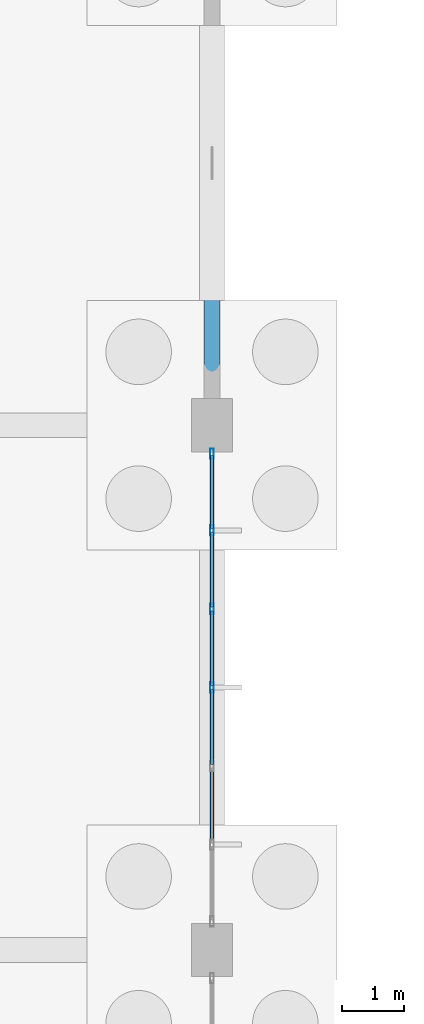
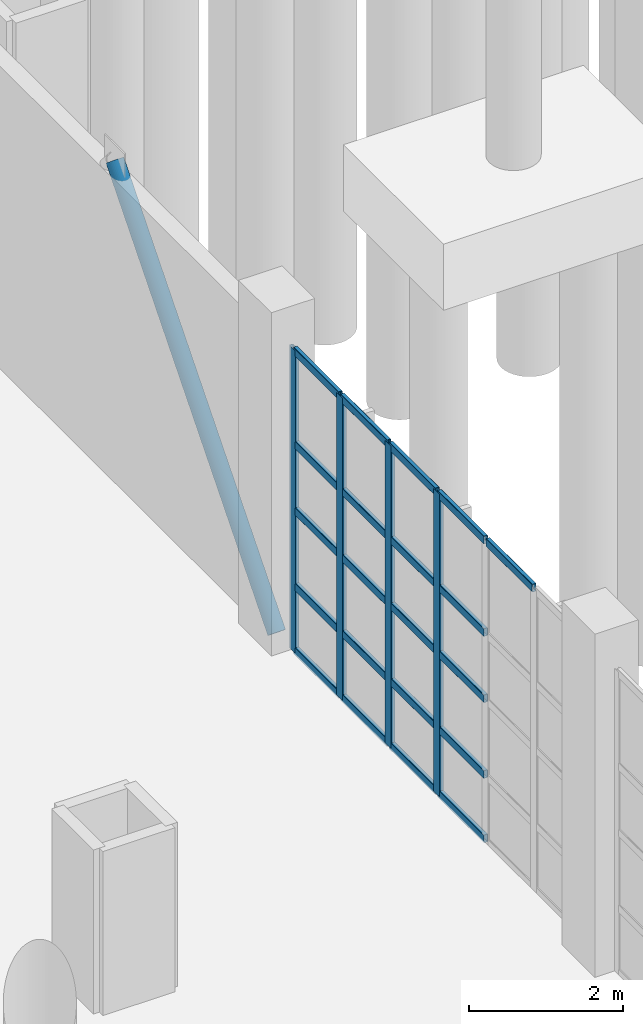
# One storey, part 29 of 83: 26 members, 1 element without a shape of its own.
"""IFC4 building model written with IfcOpenShell, lengths in metres."""

from ifc_helpers import new_model, si_unit, direction, frame, origin, origin_2d, place, context, subcontext, project, spatial, hollow_rectangle, hollow_circle, extrude, material, layer, layer_set, material_profile, profile_set, type_object, element, aggregate, save


model = new_model("IFC4")

# Units and contexts
model_context = context("Model", 3, precision=1e-05, world=origin(), true_north=direction((0.0, 1.0)))
body_context = subcontext(model_context, "Body", "Model", "MODEL_VIEW")
ifc_project = project(units=[si_unit("LENGTHUNIT", "METRE"), si_unit("AREAUNIT", "SQUARE_METRE"), si_unit("VOLUMEUNIT", "CUBIC_METRE"), si_unit("PLANEANGLEUNIT", "RADIAN"), si_unit("MASSUNIT", "GRAM", prefix="KILO"), si_unit("THERMODYNAMICTEMPERATUREUNIT", "KELVIN"), si_unit("POWERUNIT", "WATT")], contexts=[model_context])

# Site, building, storey
site_placement = place(None, origin())
site = spatial("IfcSite", under=ifc_project, at=site_placement, CompositionType="ELEMENT")
building_placement = place(site_placement, origin())
building = spatial("IfcBuilding", under=site, at=building_placement, Name="Mavoryth Pier Ferry Terminal", CompositionType="ELEMENT")
storey_placement = place(building_placement, origin())
storey = spatial("IfcBuildingStorey", under=building, at=storey_placement, Name="L00", CompositionType="ELEMENT", Elevation=0.0)

# Member
ifc_material_1 = material(Name="Steel S355J2", Category="steel")
ifc_material_profile_1 = material_profile(ifc_material_1, hollow_circle(Radius=0.122314453125, WallThickness=0.012451171875, at=origin_2d()), Name="CHS 244.5x12.5", Category="steel")
ifc_profile_set_1 = profile_set([ifc_material_profile_1], Name="Steel S355J2 - CHS 244.5x12.5")
member_type_1 = type_object("IfcMemberType", Name="Brace-Diag-CHS245", PredefinedType="BRACE", material=ifc_profile_set_1)
member_1_placement = place(storey_placement, frame((33.60009765625, 80.800048828125, 0.0), z_axis=(0.0, 0.64773803869, 0.761863132875), x_axis=(-1.0, 0.0, 0.0)))
element("IfcMember", 1, at=member_1_placement, inside=storey, type_object=member_type_1, Name="Steel Member MB-L00-0304", PredefinedType="BRACE", context=body_context, shape_type="SweptSolid", body=[
    extrude(hollow_circle(Radius=0.122314453125, WallThickness=0.012451171875, at=origin_2d()), origin(), (0.0, 0.0, 1.0), 6.484130859375),
])

# Curtain wall, members
ifc_material_2 = material(Name="Anodised Aluminium and Solar-Control Low-E Glass", Category="aluminium")
ifc_layer = layer(ifc_material_2, 0.199951171875, Name="Anodised Aluminium and Solar-Control Low-E Glass", Category="aluminium")
ifc_layer_set = layer_set([ifc_layer], Name="Anodised Aluminium and Solar-Control Low-E Glass - CW-Concourse-Mod1200")
curtain_wall_type = type_object("IfcCurtainWallType", Name="CW-Concourse-Mod1200", PredefinedType="USERDEFINED", material=ifc_layer_set)
curtain_wall_placement = place(storey_placement, origin())
curtain_wall = element("IfcCurtainWall", 2, at=curtain_wall_placement, inside=storey, type_object=curtain_wall_type, Name="Curtain Wall CW-0022-018", ObjectType="UNITISED CURTAIN WALL", PredefinedType="USERDEFINED")
ifc_material_3 = material(Name="Anodised Aluminium EN AW-6063", Category="aluminium")
ifc_material_profile_2 = material_profile(ifc_material_3, hollow_rectangle(XDim=0.06005859375, YDim=0.1650390625, WallThickness=0.00390625, InnerFilletRadius=0.00390625, OuterFilletRadius=0.008056640625, at=origin_2d()), Name="AL-MULL 165x60x4", Category="aluminium")
ifc_profile_set_2 = profile_set([ifc_material_profile_2], Name="Anodised Aluminium EN AW-6063 - AL-MULL 165x60x4")
member_type_2 = type_object("IfcMemberType", Name="Mullion-Alum-165x60", PredefinedType="MULLION", material=ifc_profile_set_2)
member_2_placement = place(storey_placement, frame((33.60009765625, 76.60009765625, 0.0), z_axis=(0.0, 0.0, 1.0), x_axis=(-1.0, 0.0, 0.0)))
member_2 = element("IfcMember", 3, at=member_2_placement, type_object=member_type_2, Name="CW02 mullion 4", PredefinedType="MULLION", context=body_context, shape_type="SweptSolid", body=[
    extrude(hollow_rectangle(XDim=0.06005859375, YDim=0.1650390625, WallThickness=0.00390625, InnerFilletRadius=0.00390625, OuterFilletRadius=0.008056640625, at=origin_2d()), origin(), (0.0, 0.0, 1.0), 4.794921875),
])
member_3_placement = place(storey_placement, frame((33.60009765625, 77.8583984375, 0.0), z_axis=(0.0, 0.0, 1.0), x_axis=(-1.0, 0.0, 0.0)))
member_3 = element("IfcMember", 4, at=member_3_placement, type_object=member_type_2, Name="CW02 mullion 5", PredefinedType="MULLION", context=body_context, shape_type="SweptSolid", body=[
    extrude(hollow_rectangle(XDim=0.06005859375, YDim=0.1650390625, WallThickness=0.00390625, InnerFilletRadius=0.00390625, OuterFilletRadius=0.008056640625, at=origin_2d()), origin(), (0.0, 0.0, 1.0), 4.794921875),
])
member_4_placement = place(storey_placement, frame((33.60009765625, 79.11669921875, 0.0), z_axis=(0.0, 0.0, 1.0), x_axis=(-1.0, 0.0, 0.0)))
member_4 = element("IfcMember", 5, at=member_4_placement, type_object=member_type_2, Name="CW02 mullion 6", PredefinedType="MULLION", context=body_context, shape_type="SweptSolid", body=[
    extrude(hollow_rectangle(XDim=0.06005859375, YDim=0.1650390625, WallThickness=0.00390625, InnerFilletRadius=0.00390625, OuterFilletRadius=0.008056640625, at=origin_2d()), origin(), (0.0, 0.0, 1.0), 4.794921875),
])
member_5_placement = place(storey_placement, frame((33.60009765625, 80.344970703125, 0.0), z_axis=(0.0, 0.0, 1.0), x_axis=(-1.0, 0.0, 0.0)))
member_5 = element("IfcMember", 6, at=member_5_placement, type_object=member_type_2, Name="CW02 mullion 7", PredefinedType="MULLION", context=body_context, shape_type="SweptSolid", body=[
    extrude(hollow_rectangle(XDim=0.06005859375, YDim=0.1650390625, WallThickness=0.00390625, InnerFilletRadius=0.00390625, OuterFilletRadius=0.008056640625, at=origin_2d()), origin(), (0.0, 0.0, 1.0), 4.794921875),
])
ifc_material_profile_3 = material_profile(ifc_material_3, hollow_rectangle(XDim=0.06005859375, YDim=0.125, WallThickness=0.00390625, InnerFilletRadius=0.00390625, OuterFilletRadius=0.008056640625, at=origin_2d()), Name="AL-TRAN 125x60x4", Category="aluminium")
ifc_profile_set_3 = profile_set([ifc_material_profile_3], Name="Anodised Aluminium EN AW-6063 - AL-TRAN 125x60x4")
member_type_3 = type_object("IfcMemberType", Name="Transom-Alum-125x60", PredefinedType="USERDEFINED", material=ifc_profile_set_3)
member_6_placement = place(storey_placement, frame((33.60009765625, 74.11328125, 4.764892578125), z_axis=(0.0, 1.0, 0.0), x_axis=(-1.0, 0.0, 0.0)))
member_6 = element("IfcMember", 7, at=member_6_placement, type_object=member_type_3, Name="CW02 transom 2.5", ObjectType="TRANSOM", PredefinedType="USERDEFINED", context=body_context, shape_type="SweptSolid", body=[
    extrude(hollow_rectangle(XDim=0.06005859375, YDim=0.125, WallThickness=0.00390625, InnerFilletRadius=0.00390625, OuterFilletRadius=0.008056640625, at=origin_2d()), origin(), (0.0, 0.0, 1.0), 1.198486328125),
])
member_7_placement = place(storey_placement, frame((33.60009765625, 75.37158203125, 0.030029296875), z_axis=(0.0, 1.0, 0.0), x_axis=(-1.0, 0.0, 0.0)))
member_7 = element("IfcMember", 8, at=member_7_placement, type_object=member_type_3, Name="CW02 transom 3.1", ObjectType="TRANSOM", PredefinedType="USERDEFINED", context=body_context, shape_type="SweptSolid", body=[
    extrude(hollow_rectangle(XDim=0.06005859375, YDim=0.125, WallThickness=0.00390625, InnerFilletRadius=0.00390625, OuterFilletRadius=0.008056640625, at=origin_2d()), origin(), (0.0, 0.0, 1.0), 1.198486328125),
])
member_8_placement = place(storey_placement, frame((33.60009765625, 75.37158203125, 1.050048828125), z_axis=(0.0, 1.0, 0.0), x_axis=(-1.0, 0.0, 0.0)))
member_8 = element("IfcMember", 9, at=member_8_placement, type_object=member_type_3, Name="CW02 transom 3.2", ObjectType="TRANSOM", PredefinedType="USERDEFINED", context=body_context, shape_type="SweptSolid", body=[
    extrude(hollow_rectangle(XDim=0.06005859375, YDim=0.125, WallThickness=0.00390625, InnerFilletRadius=0.00390625, OuterFilletRadius=0.008056640625, at=origin_2d()), origin(), (0.0, 0.0, 1.0), 1.198486328125),
])
member_9_placement = place(storey_placement, frame((33.60009765625, 75.37158203125, 2.25), z_axis=(0.0, 1.0, 0.0), x_axis=(-1.0, 0.0, 0.0)))
member_9 = element("IfcMember", 10, at=member_9_placement, type_object=member_type_3, Name="CW02 transom 3.3", ObjectType="TRANSOM", PredefinedType="USERDEFINED", context=body_context, shape_type="SweptSolid", body=[
    extrude(hollow_rectangle(XDim=0.06005859375, YDim=0.125, WallThickness=0.00390625, InnerFilletRadius=0.00390625, OuterFilletRadius=0.008056640625, at=origin_2d()), origin(), (0.0, 0.0, 1.0), 1.198486328125),
])
member_10_placement = place(storey_placement, frame((33.60009765625, 75.37158203125, 3.300048828125), z_axis=(0.0, 1.0, 0.0), x_axis=(-1.0, 0.0, 0.0)))
member_10 = element("IfcMember", 11, at=member_10_placement, type_object=member_type_3, Name="CW02 transom 3.4", ObjectType="TRANSOM", PredefinedType="USERDEFINED", context=body_context, shape_type="SweptSolid", body=[
    extrude(hollow_rectangle(XDim=0.06005859375, YDim=0.125, WallThickness=0.00390625, InnerFilletRadius=0.00390625, OuterFilletRadius=0.008056640625, at=origin_2d()), origin(), (0.0, 0.0, 1.0), 1.198486328125),
])
member_11_placement = place(storey_placement, frame((33.60009765625, 75.37158203125, 4.764892578125), z_axis=(0.0, 1.0, 0.0), x_axis=(-1.0, 0.0, 0.0)))
member_11 = element("IfcMember", 12, at=member_11_placement, type_object=member_type_3, Name="CW02 transom 3.5", ObjectType="TRANSOM", PredefinedType="USERDEFINED", context=body_context, shape_type="SweptSolid", body=[
    extrude(hollow_rectangle(XDim=0.06005859375, YDim=0.125, WallThickness=0.00390625, InnerFilletRadius=0.00390625, OuterFilletRadius=0.008056640625, at=origin_2d()), origin(), (0.0, 0.0, 1.0), 1.198486328125),
])
member_12_placement = place(storey_placement, frame((33.60009765625, 76.6298828125, 0.030029296875), z_axis=(0.0, 1.0, 0.0), x_axis=(-1.0, 0.0, 0.0)))
member_12 = element("IfcMember", 13, at=member_12_placement, type_object=member_type_3, Name="CW02 transom 4.1", ObjectType="TRANSOM", PredefinedType="USERDEFINED", context=body_context, shape_type="SweptSolid", body=[
    extrude(hollow_rectangle(XDim=0.06005859375, YDim=0.125, WallThickness=0.00390625, InnerFilletRadius=0.00390625, OuterFilletRadius=0.008056640625, at=origin_2d()), origin(), (0.0, 0.0, 1.0), 1.198486328125),
])
member_13_placement = place(storey_placement, frame((33.60009765625, 76.6298828125, 1.050048828125), z_axis=(0.0, 1.0, 0.0), x_axis=(-1.0, 0.0, 0.0)))
member_13 = element("IfcMember", 14, at=member_13_placement, type_object=member_type_3, Name="CW02 transom 4.2", ObjectType="TRANSOM", PredefinedType="USERDEFINED", context=body_context, shape_type="SweptSolid", body=[
    extrude(hollow_rectangle(XDim=0.06005859375, YDim=0.125, WallThickness=0.00390625, InnerFilletRadius=0.00390625, OuterFilletRadius=0.008056640625, at=origin_2d()), origin(), (0.0, 0.0, 1.0), 1.198486328125),
])
member_14_placement = place(storey_placement, frame((33.60009765625, 76.6298828125, 2.25), z_axis=(0.0, 1.0, 0.0), x_axis=(-1.0, 0.0, 0.0)))
member_14 = element("IfcMember", 15, at=member_14_placement, type_object=member_type_3, Name="CW02 transom 4.3", ObjectType="TRANSOM", PredefinedType="USERDEFINED", context=body_context, shape_type="SweptSolid", body=[
    extrude(hollow_rectangle(XDim=0.06005859375, YDim=0.125, WallThickness=0.00390625, InnerFilletRadius=0.00390625, OuterFilletRadius=0.008056640625, at=origin_2d()), origin(), (0.0, 0.0, 1.0), 1.198486328125),
])
member_15_placement = place(storey_placement, frame((33.60009765625, 76.6298828125, 3.300048828125), z_axis=(0.0, 1.0, 0.0), x_axis=(-1.0, 0.0, 0.0)))
member_15 = element("IfcMember", 16, at=member_15_placement, type_object=member_type_3, Name="CW02 transom 4.4", ObjectType="TRANSOM", PredefinedType="USERDEFINED", context=body_context, shape_type="SweptSolid", body=[
    extrude(hollow_rectangle(XDim=0.06005859375, YDim=0.125, WallThickness=0.00390625, InnerFilletRadius=0.00390625, OuterFilletRadius=0.008056640625, at=origin_2d()), origin(), (0.0, 0.0, 1.0), 1.198486328125),
])
member_16_placement = place(storey_placement, frame((33.60009765625, 76.6298828125, 4.764892578125), z_axis=(0.0, 1.0, 0.0), x_axis=(-1.0, 0.0, 0.0)))
member_16 = element("IfcMember", 17, at=member_16_placement, type_object=member_type_3, Name="CW02 transom 4.5", ObjectType="TRANSOM", PredefinedType="USERDEFINED", context=body_context, shape_type="SweptSolid", body=[
    extrude(hollow_rectangle(XDim=0.06005859375, YDim=0.125, WallThickness=0.00390625, InnerFilletRadius=0.00390625, OuterFilletRadius=0.008056640625, at=origin_2d()), origin(), (0.0, 0.0, 1.0), 1.198486328125),
])
member_17_placement = place(storey_placement, frame((33.60009765625, 77.888427734375, 0.030029296875), z_axis=(0.0, 1.0, 0.0), x_axis=(-1.0, 0.0, 0.0)))
member_17 = element("IfcMember", 18, at=member_17_placement, type_object=member_type_3, Name="CW02 transom 5.1", ObjectType="TRANSOM", PredefinedType="USERDEFINED", context=body_context, shape_type="SweptSolid", body=[
    extrude(hollow_rectangle(XDim=0.06005859375, YDim=0.125, WallThickness=0.00390625, InnerFilletRadius=0.00390625, OuterFilletRadius=0.008056640625, at=origin_2d()), origin(), (0.0, 0.0, 1.0), 1.1982421875),
])
member_18_placement = place(storey_placement, frame((33.60009765625, 77.888427734375, 1.050048828125), z_axis=(0.0, 1.0, 0.0), x_axis=(-1.0, 0.0, 0.0)))
member_18 = element("IfcMember", 19, at=member_18_placement, type_object=member_type_3, Name="CW02 transom 5.2", ObjectType="TRANSOM", PredefinedType="USERDEFINED", context=body_context, shape_type="SweptSolid", body=[
    extrude(hollow_rectangle(XDim=0.06005859375, YDim=0.125, WallThickness=0.00390625, InnerFilletRadius=0.00390625, OuterFilletRadius=0.008056640625, at=origin_2d()), origin(), (0.0, 0.0, 1.0), 1.1982421875),
])
member_19_placement = place(storey_placement, frame((33.60009765625, 77.888427734375, 2.25), z_axis=(0.0, 1.0, 0.0), x_axis=(-1.0, 0.0, 0.0)))
member_19 = element("IfcMember", 20, at=member_19_placement, type_object=member_type_3, Name="CW02 transom 5.3", ObjectType="TRANSOM", PredefinedType="USERDEFINED", context=body_context, shape_type="SweptSolid", body=[
    extrude(hollow_rectangle(XDim=0.06005859375, YDim=0.125, WallThickness=0.00390625, InnerFilletRadius=0.00390625, OuterFilletRadius=0.008056640625, at=origin_2d()), origin(), (0.0, 0.0, 1.0), 1.1982421875),
])
member_20_placement = place(storey_placement, frame((33.60009765625, 77.888427734375, 3.300048828125), z_axis=(0.0, 1.0, 0.0), x_axis=(-1.0, 0.0, 0.0)))
member_20 = element("IfcMember", 21, at=member_20_placement, type_object=member_type_3, Name="CW02 transom 5.4", ObjectType="TRANSOM", PredefinedType="USERDEFINED", context=body_context, shape_type="SweptSolid", body=[
    extrude(hollow_rectangle(XDim=0.06005859375, YDim=0.125, WallThickness=0.00390625, InnerFilletRadius=0.00390625, OuterFilletRadius=0.008056640625, at=origin_2d()), origin(), (0.0, 0.0, 1.0), 1.1982421875),
])
member_21_placement = place(storey_placement, frame((33.60009765625, 77.888427734375, 4.764892578125), z_axis=(0.0, 1.0, 0.0), x_axis=(-1.0, 0.0, 0.0)))
member_21 = element("IfcMember", 22, at=member_21_placement, type_object=member_type_3, Name="CW02 transom 5.5", ObjectType="TRANSOM", PredefinedType="USERDEFINED", context=body_context, shape_type="SweptSolid", body=[
    extrude(hollow_rectangle(XDim=0.06005859375, YDim=0.125, WallThickness=0.00390625, InnerFilletRadius=0.00390625, OuterFilletRadius=0.008056640625, at=origin_2d()), origin(), (0.0, 0.0, 1.0), 1.1982421875),
])
member_22_placement = place(storey_placement, frame((33.60009765625, 79.146728515625, 0.030029296875), z_axis=(0.0, 1.0, 0.0), x_axis=(-1.0, 0.0, 0.0)))
member_22 = element("IfcMember", 23, at=member_22_placement, type_object=member_type_3, Name="CW02 transom 6.1", ObjectType="TRANSOM", PredefinedType="USERDEFINED", context=body_context, shape_type="SweptSolid", body=[
    extrude(hollow_rectangle(XDim=0.06005859375, YDim=0.125, WallThickness=0.00390625, InnerFilletRadius=0.00390625, OuterFilletRadius=0.008056640625, at=origin_2d()), origin(), (0.0, 0.0, 1.0), 1.168212890625),
])
member_23_placement = place(storey_placement, frame((33.60009765625, 79.146728515625, 1.050048828125), z_axis=(0.0, 1.0, 0.0), x_axis=(-1.0, 0.0, 0.0)))
member_23 = element("IfcMember", 24, at=member_23_placement, type_object=member_type_3, Name="CW02 transom 6.2", ObjectType="TRANSOM", PredefinedType="USERDEFINED", context=body_context, shape_type="SweptSolid", body=[
    extrude(hollow_rectangle(XDim=0.06005859375, YDim=0.125, WallThickness=0.00390625, InnerFilletRadius=0.00390625, OuterFilletRadius=0.008056640625, at=origin_2d()), origin(), (0.0, 0.0, 1.0), 1.168212890625),
])
member_24_placement = place(storey_placement, frame((33.60009765625, 79.146728515625, 2.25), z_axis=(0.0, 1.0, 0.0), x_axis=(-1.0, 0.0, 0.0)))
member_24 = element("IfcMember", 25, at=member_24_placement, type_object=member_type_3, Name="CW02 transom 6.3", ObjectType="TRANSOM", PredefinedType="USERDEFINED", context=body_context, shape_type="SweptSolid", body=[
    extrude(hollow_rectangle(XDim=0.06005859375, YDim=0.125, WallThickness=0.00390625, InnerFilletRadius=0.00390625, OuterFilletRadius=0.008056640625, at=origin_2d()), origin(), (0.0, 0.0, 1.0), 1.168212890625),
])
member_25_placement = place(storey_placement, frame((33.60009765625, 79.146728515625, 3.300048828125), z_axis=(0.0, 1.0, 0.0), x_axis=(-1.0, 0.0, 0.0)))
member_25 = element("IfcMember", 26, at=member_25_placement, type_object=member_type_3, Name="CW02 transom 6.4", ObjectType="TRANSOM", PredefinedType="USERDEFINED", context=body_context, shape_type="SweptSolid", body=[
    extrude(hollow_rectangle(XDim=0.06005859375, YDim=0.125, WallThickness=0.00390625, InnerFilletRadius=0.00390625, OuterFilletRadius=0.008056640625, at=origin_2d()), origin(), (0.0, 0.0, 1.0), 1.168212890625),
])
member_26_placement = place(storey_placement, frame((33.60009765625, 79.146728515625, 4.764892578125), z_axis=(0.0, 1.0, 0.0), x_axis=(-1.0, 0.0, 0.0)))
member_26 = element("IfcMember", 27, at=member_26_placement, type_object=member_type_3, Name="CW02 transom 6.5", ObjectType="TRANSOM", PredefinedType="USERDEFINED", context=body_context, shape_type="SweptSolid", body=[
    extrude(hollow_rectangle(XDim=0.06005859375, YDim=0.125, WallThickness=0.00390625, InnerFilletRadius=0.00390625, OuterFilletRadius=0.008056640625, at=origin_2d()), origin(), (0.0, 0.0, 1.0), 1.168212890625),
])
aggregate(curtain_wall, [member_2, member_3, member_4, member_5, member_6, member_7, member_8, member_9, member_10, member_11, member_12, member_13, member_14, member_15, member_16, member_17, member_18, member_19, member_20, member_21, member_22, member_23, member_24, member_25, member_26])

save(model, "model.ifc")
